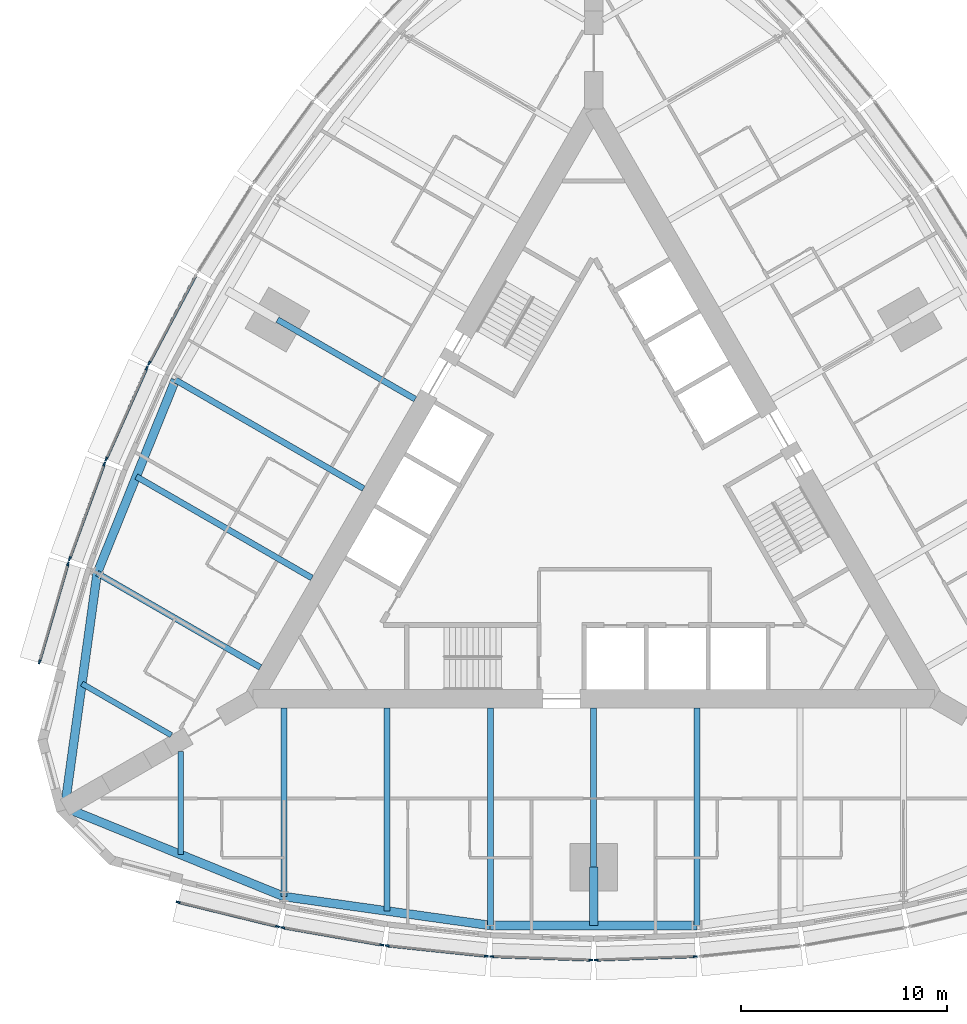
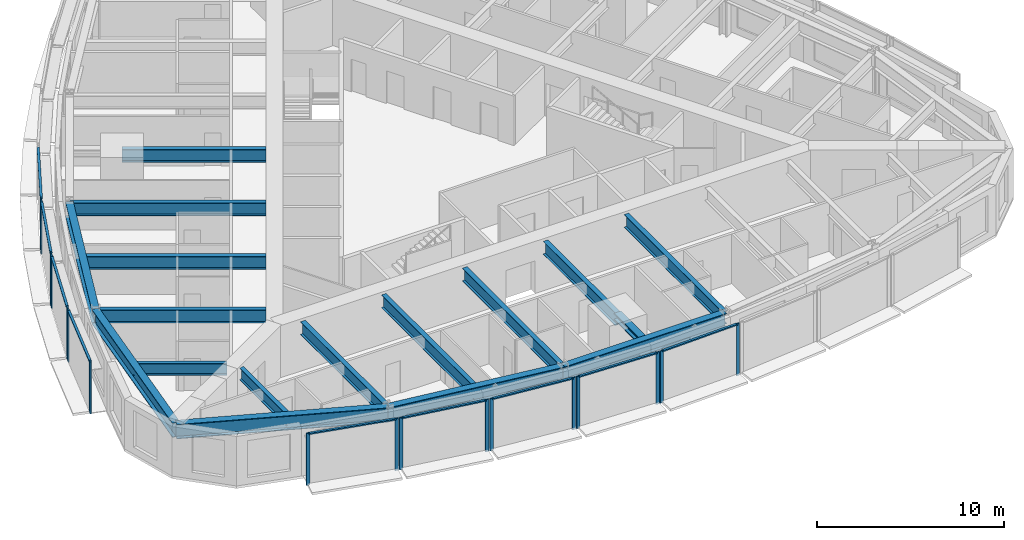
# One storey, part 2 of 14: 26 members, 17 beams, 9 elements without a shape of their own.
"""IFC4 building model written with IfcOpenShell, lengths in metres."""

import ifcopenshell
import ifcopenshell.guid

model = None  # the IFC model being written
_history = None  # IfcOwnerHistory: only IFC2X3 demands one
_inside = {}  # id of a spatial element -> (the spatial element, [elements in it])
_under = {}  # id of a project, library or spatial element -> (it, [spatial elements below it])
_declared = {}  # id of a project -> (the project, [libraries it declares])
_typed = {}  # id of a type object -> (the type object, [elements of that type])
_made_of = {}  # id of a material, layer set ... -> (it, [elements and type objects made of it])


def new_model(schema):
    """Start an empty IFC model of exactly this schema.

    Asked for "IFC4X3", IfcOpenShell would pick the latest addendum, in which some entities
    have other attributes; the version numbers below select the first issue.
    IFC2X3 requires an IfcOwnerHistory on every rooted entity: one is made here for all.
    """
    global model, _history
    if schema == "IFC4X3":
        model = ifcopenshell.file(schema_version=(4, 3, 0, 0))
    else:
        model = ifcopenshell.file(schema=schema)
    _inside.clear()
    _under.clear()
    _declared.clear()
    _typed.clear()
    _made_of.clear()
    _history = None
    if model.schema == "IFC2X3":
        org = make("IfcOrganization", Name="unknown")
        user = make(
            "IfcPersonAndOrganization",
            ThePerson=make("IfcPerson", FamilyName="unknown"),
            TheOrganization=org,
        )
        app = make(
            "IfcApplication",
            ApplicationDeveloper=org,
            Version="unknown",
            ApplicationFullName="unknown",
            ApplicationIdentifier="unknown",
        )
        _history = make(
            "IfcOwnerHistory",
            OwningUser=user,
            OwningApplication=app,
            ChangeAction="ADDED",
            CreationDate=0,
        )
    return model


def make(cls, **values):
    """One entity of the class cls with the attributes given. An attribute that is None is left unset."""
    return model.create_entity(
        cls, **{name: value for name, value in values.items() if value is not None}
    )


def rooted(cls, **values):
    """An entity with a GlobalId (a new one), such as an element, a storey or a relation."""
    return make(cls, GlobalId=ifcopenshell.guid.new(), OwnerHistory=_history, **values)


def si_unit(unit_type, name, prefix=None):
    """IfcSIUnit, for example si_unit("LENGTHUNIT", "METRE", prefix="MILLI")."""
    return make("IfcSIUnit", UnitType=unit_type, Prefix=prefix, Name=name)


def assignment(units):
    """IfcUnitAssignment: the units of a project."""
    return None if units is None else make("IfcUnitAssignment", Units=units)


def point(xyz):
    """IfcCartesianPoint."""
    return None if xyz is None else make("IfcCartesianPoint", Coordinates=xyz)


def direction(xyz):
    """IfcDirection."""
    return None if xyz is None else make("IfcDirection", DirectionRatios=xyz)


def frame(location, z_axis=None, x_axis=None):
    """IfcAxis2Placement3D, a coordinate frame: its origin and axes. An axis left out is left unset."""
    return make(
        "IfcAxis2Placement3D",
        Location=point(location),
        Axis=direction(z_axis),
        RefDirection=direction(x_axis),
    )


def frame_2d(location, x_axis=None):
    """IfcAxis2Placement2D, a coordinate frame in the plane: its origin and x axis."""
    return make(
        "IfcAxis2Placement2D", Location=point(location), RefDirection=direction(x_axis)
    )


def origin():
    """The frame at (0, 0, 0) with its axes left unset."""
    return frame((0.0, 0.0, 0.0))


def origin_2d():
    """The frame at (0, 0) in the plane with its x axis left unset."""
    return frame_2d((0.0, 0.0))


def place(relative_to, where):
    """IfcLocalPlacement: puts the frame where relative to a parent placement (None: the world)."""
    return make(
        "IfcLocalPlacement", PlacementRelTo=relative_to, RelativePlacement=where
    )


def context(
    kind, dimensions, precision=None, world=None, true_north=None, identifier=None
):
    """IfcGeometricRepresentationContext, for example the 3D "Model" context."""
    return make(
        "IfcGeometricRepresentationContext",
        ContextIdentifier=identifier,
        ContextType=kind,
        CoordinateSpaceDimension=dimensions,
        Precision=precision,
        WorldCoordinateSystem=world,
        TrueNorth=true_north,
    )


def subcontext(parent, identifier, kind, view, scale=None):
    """IfcGeometricRepresentationSubContext, for example "Body" below "Model"."""
    return make(
        "IfcGeometricRepresentationSubContext",
        ContextIdentifier=identifier,
        ContextType=kind,
        ParentContext=parent,
        TargetScale=scale,
        TargetView=view,
    )


def project(units=None, contexts=None):
    """IfcProject with its units and contexts."""
    return rooted(
        "IfcProject",
        Name="project",
        RepresentationContexts=contexts,
        UnitsInContext=assignment(units),
    )


def spatial(cls, under=None, at=None, **own):
    """A site, building, storey or space (cls), placed at a placement, below another one or the project."""
    s = rooted(cls, ObjectPlacement=at, **own)
    if under is not None:
        _under.setdefault(under.id(), (under, []))[1].append(s)
    return s


def profile(cls, at=None, kind="AREA", **sizes):
    """A parametric profile (cls). Its sizes go by their IFC names, for example OverallWidth=200.0."""
    return make(cls, ProfileType=kind, Position=at, **sizes)


def rectangle(**sizes):
    """IfcRectangleProfileDef."""
    return profile("IfcRectangleProfileDef", **sizes)


def i_section(**sizes):
    """IfcIShapeProfileDef."""
    return profile("IfcIShapeProfileDef", **sizes)


def extrude(swept, where, along, depth):
    """IfcExtrudedAreaSolid: the profile swept, set in the frame where, extruded along a direction by depth."""
    return make(
        "IfcExtrudedAreaSolid",
        SweptArea=swept,
        Position=where,
        ExtrudedDirection=direction(along),
        Depth=depth,
    )


def shape(context_of_items, identifier, shape_type, items):
    """IfcShapeRepresentation: the items that make up one representation, for example the "Body"."""
    return make(
        "IfcShapeRepresentation",
        ContextOfItems=context_of_items,
        RepresentationIdentifier=identifier,
        RepresentationType=shape_type,
        Items=items,
    )


def material(Name=None, Category=None):
    """IfcMaterial."""
    return make("IfcMaterial", Name=Name, Category=Category)


def material_profile(
    of_material, cross_section, Name=None, Category=None, Priority=None
):
    """IfcMaterialProfile: a cross section and its material."""
    return make(
        "IfcMaterialProfile",
        Name=Name,
        Material=of_material,
        Profile=cross_section,
        Priority=Priority,
        Category=Category,
    )


def profile_set(profiles, Name=None, composite=None):
    """IfcMaterialProfileSet."""
    return make(
        "IfcMaterialProfileSet",
        Name=Name,
        MaterialProfiles=profiles,
        CompositeProfile=composite,
    )


def made_of(thing, what):
    """Note that an element or type object is made of a material, layer set ...; save() writes the relation."""
    if what is not None:
        _made_of.setdefault(what.id(), (what, []))[1].append(thing)
    return thing


def type_object(cls, material=None, **own):
    """A type object (cls), such as IfcWallType, which elements share."""
    return made_of(rooted(cls, **own), material)


def element(
    cls,
    number,
    at=None,
    inside=None,
    cuts=None,
    type_object=None,
    material=None,
    context=None,
    identifier="Body",
    shape_type=None,
    held_by="IfcProductDefinitionShape",
    body=None,
    shapes=None,
    **own,
):
    """One element of the class cls, such as IfcWall. Its Tag is "e" and its number.

    at: its placement. inside: the storey or other place that contains it. cuts: it is an
    opening in that element (IfcRelVoidsElement). A single representation is given by context,
    identifier, shape_type and body (its items); several are given by shapes. held_by: the class
    of the entity that holds the representations. save() writes the other relations.
    """
    e = rooted(cls, Tag="e%d" % number, ObjectPlacement=at, **own)
    if body is not None:
        shapes = [shape(context, identifier, shape_type, body)]
    if shapes is not None:
        e.Representation = make(held_by, Representations=shapes)
    if inside is not None:
        _inside.setdefault(inside.id(), (inside, []))[1].append(e)
    if cuts is not None:
        rooted(
            "IfcRelVoidsElement", RelatingBuildingElement=cuts, RelatedOpeningElement=e
        )
    if type_object is not None:
        _typed.setdefault(type_object.id(), (type_object, []))[1].append(e)
    return made_of(e, material)


def aggregate(whole, parts):
    """IfcRelAggregates: a whole, such as a stair, and the parts it consists of."""
    return rooted("IfcRelAggregates", RelatingObject=whole, RelatedObjects=parts)


def save(model, path):
    """Write the relations noted so far, then the file.

    IfcRelAggregates (storeys below a building ...), IfcRelContainedInSpatialStructure (elements
    in a storey), IfcRelDefinesByType, IfcRelAssociatesMaterial and IfcRelDeclares: one each for
    every whole, place, type object, material and project.
    """
    for whole, parts in _under.values():
        aggregate(whole, parts)
    for where, things in _inside.values():
        rooted(
            "IfcRelContainedInSpatialStructure",
            RelatedElements=things,
            RelatingStructure=where,
        )
    for kind, things in _typed.values():
        rooted("IfcRelDefinesByType", RelatedObjects=things, RelatingType=kind)
    for what, things in _made_of.values():
        rooted("IfcRelAssociatesMaterial", RelatedObjects=things, RelatingMaterial=what)
    for by, libraries in _declared.values():
        rooted("IfcRelDeclares", RelatingContext=by, RelatedDefinitions=libraries)
    model.write(path)


model = new_model("IFC4")

# Units and contexts
model_context = context("Model", 3, precision=1e-05, world=origin(), true_north=direction((0.0, 1.0)))
body_context = subcontext(model_context, "Body", "Model", "MODEL_VIEW")
ifc_project = project(units=[si_unit("LENGTHUNIT", "METRE"), si_unit("AREAUNIT", "SQUARE_METRE"), si_unit("VOLUMEUNIT", "CUBIC_METRE"), si_unit("PLANEANGLEUNIT", "RADIAN"), si_unit("MASSUNIT", "GRAM", prefix="KILO")], contexts=[model_context])

# Site, building, storey
site_placement = place(None, origin())
site = spatial("IfcSite", under=ifc_project, at=site_placement, CompositionType="ELEMENT")
building_placement = place(site_placement, origin())
building = spatial("IfcBuilding", under=site, at=building_placement, Name="Trikona Tower", CompositionType="ELEMENT")
storey_placement = place(building_placement, frame((0.0, 0.0, 169.10009765625)))
storey = spatial("IfcBuildingStorey", under=building, at=storey_placement, Name="L45", CompositionType="ELEMENT", Elevation=169.10009765625)

# Curtain wall, members
ifc_material_1 = material(Name="Aluminium curtain wall system", Category="aluminium")
curtain_wall_type = type_object("IfcCurtainWallType", Name="Curtain wall DS2", PredefinedType="NOTDEFINED", material=ifc_material_1)
curtain_wall_1_placement = place(storey_placement, origin())
curtain_wall_1 = element("IfcCurtainWall", 1, at=curtain_wall_1_placement, inside=storey, type_object=curtain_wall_type, Name="Curtain wall DS2 L45", PredefinedType="NOTDEFINED")
ifc_material_2 = material(Name="Aluminium mullion, pale anodised", Category="aluminium")
ifc_material_profile_1 = material_profile(ifc_material_2, rectangle(XDim=0.080078125, YDim=0.199951171875, at=origin_2d()), Name="MUL-DS2")
ifc_profile_set_1 = profile_set([ifc_material_profile_1], Name="Aluminium mullion, pale anodised")
member_type_1 = type_object("IfcMemberType", Name="Mullion DS2 80x200", PredefinedType="MULLION", material=ifc_profile_set_1)
member_1_placement = place(storey_placement, frame((-20.116943359375, -19.373046875, 0.0), z_axis=(0.0, 0.0, 1.0), x_axis=(0.237970204243, 0.971272455026, 0.0)))
member_1 = element("IfcMember", 2, at=member_1_placement, type_object=member_type_1, Name="CW-DS2 mullion 1", PredefinedType="MULLION", context=body_context, shape_type="SweptSolid", body=[
    extrude(rectangle(XDim=0.080078125, YDim=0.199951171875, at=origin_2d()), origin(), (0.0, 0.0, 1.0), 3.39990234375),
])
member_2_placement = place(storey_placement, frame((-15.311279296875, -20.550537109375, 0.0), z_axis=(0.0, 0.0, 1.0), x_axis=(0.237970204243, 0.971272455026, 0.0)))
member_2 = element("IfcMember", 3, at=member_2_placement, type_object=member_type_1, Name="CW-DS2 mullion 2", PredefinedType="MULLION", context=body_context, shape_type="SweptSolid", body=[
    extrude(rectangle(XDim=0.080078125, YDim=0.199951171875, at=origin_2d()), origin(), (0.0, 0.0, 1.0), 3.39990234375),
])

curtain_wall_2_placement = place(storey_placement, origin())
curtain_wall_2 = element("IfcCurtainWall", 4, at=curtain_wall_2_placement, inside=storey, type_object=curtain_wall_type, Name="Curtain wall DS2 L45", PredefinedType="NOTDEFINED")
member_3_placement = place(storey_placement, frame((-15.056640625, -20.60400390625, 0.0), z_axis=(0.0, 0.0, 1.0), x_axis=(0.17237739505, 0.985030981074, 0.0)))
member_3 = element("IfcMember", 5, at=member_3_placement, type_object=member_type_1, Name="CW-DS2 mullion 1", PredefinedType="MULLION", context=body_context, shape_type="SweptSolid", body=[
    extrude(rectangle(XDim=0.080078125, YDim=0.199951171875, at=origin_2d()), origin(), (0.0, 0.0, 1.0), 3.39990234375),
])
member_4_placement = place(storey_placement, frame((-10.253662109375, -21.444580078125, 0.0), z_axis=(0.0, 0.0, 1.0), x_axis=(0.17237739505, 0.985030981074, 0.0)))
member_4 = element("IfcMember", 6, at=member_4_placement, type_object=member_type_1, Name="CW-DS2 mullion 2", PredefinedType="MULLION", context=body_context, shape_type="SweptSolid", body=[
    extrude(rectangle(XDim=0.080078125, YDim=0.199951171875, at=origin_2d()), origin(), (0.0, 0.0, 1.0), 3.39990234375),
])

curtain_wall_3_placement = place(storey_placement, origin())
curtain_wall_3 = element("IfcCurtainWall", 7, at=curtain_wall_3_placement, inside=storey, type_object=curtain_wall_type, Name="Curtain wall DS2 L45", PredefinedType="NOTDEFINED")
member_5_placement = place(storey_placement, frame((-9.99462890625, -21.480712890625, 0.0), z_axis=(0.0, 0.0, 1.0), x_axis=(0.104433387357, 0.994531883654, 0.0)))
member_5 = element("IfcMember", 8, at=member_5_placement, type_object=member_type_1, Name="CW-DS2 mullion 1", PredefinedType="MULLION", context=body_context, shape_type="SweptSolid", body=[
    extrude(rectangle(XDim=0.080078125, YDim=0.199951171875, at=origin_2d()), origin(), (0.0, 0.0, 1.0), 3.39990234375),
])
member_6_placement = place(storey_placement, frame((-5.193359375, -21.98486328125, 0.0), z_axis=(0.0, 0.0, 1.0), x_axis=(0.104433387357, 0.994531883654, 0.0)))
member_6 = element("IfcMember", 9, at=member_6_placement, type_object=member_type_1, Name="CW-DS2 mullion 2", PredefinedType="MULLION", context=body_context, shape_type="SweptSolid", body=[
    extrude(rectangle(XDim=0.080078125, YDim=0.199951171875, at=origin_2d()), origin(), (0.0, 0.0, 1.0), 3.39990234375),
])

curtain_wall_4_placement = place(storey_placement, origin())
curtain_wall_4 = element("IfcCurtainWall", 10, at=curtain_wall_4_placement, inside=storey, type_object=curtain_wall_type, Name="Curtain wall DS2 L45", PredefinedType="NOTDEFINED")
member_7_placement = place(storey_placement, frame((-4.931640625, -22.003173828125, 0.0), z_axis=(0.0, 0.0, 1.0), x_axis=(0.034998320052, 0.99938737114, 0.0)))
member_7 = element("IfcMember", 11, at=member_7_placement, type_object=member_type_1, Name="CW-DS2 mullion 1", PredefinedType="MULLION", context=body_context, shape_type="SweptSolid", body=[
    extrude(rectangle(XDim=0.080078125, YDim=0.199951171875, at=origin_2d()), origin(), (0.0, 0.0, 1.0), 3.39990234375),
])
member_8_placement = place(storey_placement, frame((-0.13134765625, -22.171142578125, 0.0), z_axis=(0.0, 0.0, 1.0), x_axis=(0.034998320052, 0.99938737114, 0.0)))
member_8 = element("IfcMember", 12, at=member_8_placement, type_object=member_type_1, Name="CW-DS2 mullion 2", PredefinedType="MULLION", context=body_context, shape_type="SweptSolid", body=[
    extrude(rectangle(XDim=0.080078125, YDim=0.199951171875, at=origin_2d()), origin(), (0.0, 0.0, 1.0), 3.39990234375),
])

curtain_wall_5_placement = place(storey_placement, origin())
curtain_wall_5 = element("IfcCurtainWall", 13, at=curtain_wall_5_placement, inside=storey, type_object=curtain_wall_type, Name="Curtain wall DS2 L45", PredefinedType="NOTDEFINED")
member_9_placement = place(storey_placement, frame((0.13134765625, -22.171142578125, 0.0), z_axis=(0.0, 0.0, 1.0), x_axis=(-0.034998320052, 0.99938737114, 0.0)))
member_9 = element("IfcMember", 14, at=member_9_placement, type_object=member_type_1, Name="CW-DS2 mullion 1", PredefinedType="MULLION", context=body_context, shape_type="SweptSolid", body=[
    extrude(rectangle(XDim=0.080078125, YDim=0.199951171875, at=origin_2d()), origin(), (0.0, 0.0, 1.0), 3.39990234375),
])
member_10_placement = place(storey_placement, frame((4.931640625, -22.003173828125, 0.0), z_axis=(0.0, 0.0, 1.0), x_axis=(-0.034998320052, 0.99938737114, 0.0)))
member_10 = element("IfcMember", 15, at=member_10_placement, type_object=member_type_1, Name="CW-DS2 mullion 2", PredefinedType="MULLION", context=body_context, shape_type="SweptSolid", body=[
    extrude(rectangle(XDim=0.080078125, YDim=0.199951171875, at=origin_2d()), origin(), (0.0, 0.0, 1.0), 3.39990234375),
])

# Curtain wall, member
curtain_wall_6_placement = place(storey_placement, origin())
curtain_wall_6 = element("IfcCurtainWall", 16, at=curtain_wall_6_placement, inside=storey, type_object=curtain_wall_type, Name="Curtain wall DS2 L45", PredefinedType="NOTDEFINED")
member_11_placement = place(storey_placement, frame((-21.52099609375, 6.730712890625, 0.0), z_axis=(0.0, 0.0, 1.0), x_axis=(0.882996107343, -0.469380308937, 0.0)))
member_11 = element("IfcMember", 17, at=member_11_placement, type_object=member_type_1, Name="CW-DS2 mullion 2", PredefinedType="MULLION", context=body_context, shape_type="SweptSolid", body=[
    extrude(rectangle(XDim=0.080078125, YDim=0.199951171875, at=origin_2d()), origin(), (0.0, 0.0, 1.0), 3.39990234375),
])

# Curtain wall, members
curtain_wall_7_placement = place(storey_placement, origin())
curtain_wall_7 = element("IfcCurtainWall", 18, at=curtain_wall_7_placement, inside=storey, type_object=curtain_wall_type, Name="Curtain wall DS2 L45", PredefinedType="NOTDEFINED")
member_12_placement = place(storey_placement, frame((-21.63623046875, 6.494873046875, 0.0), z_axis=(0.0, 0.0, 1.0), x_axis=(0.913501208767, -0.406836013132, 0.0)))
member_12 = element("IfcMember", 19, at=member_12_placement, type_object=member_type_1, Name="CW-DS2 mullion 1", PredefinedType="MULLION", context=body_context, shape_type="SweptSolid", body=[
    extrude(rectangle(XDim=0.080078125, YDim=0.199951171875, at=origin_2d()), origin(), (0.0, 0.0, 1.0), 3.39990234375),
])
member_13_placement = place(storey_placement, frame((-23.60009765625, 2.0849609375, 0.0), z_axis=(0.0, 0.0, 1.0), x_axis=(0.913501208767, -0.406836013132, 0.0)))
member_13 = element("IfcMember", 20, at=member_13_placement, type_object=member_type_1, Name="CW-DS2 mullion 2", PredefinedType="MULLION", context=body_context, shape_type="SweptSolid", body=[
    extrude(rectangle(XDim=0.080078125, YDim=0.199951171875, at=origin_2d()), origin(), (0.0, 0.0, 1.0), 3.39990234375),
])

curtain_wall_8_placement = place(storey_placement, origin())
curtain_wall_8 = element("IfcCurtainWall", 21, at=curtain_wall_8_placement, inside=storey, type_object=curtain_wall_type, Name="Curtain wall DS2 L45", PredefinedType="NOTDEFINED")
member_14_placement = place(storey_placement, frame((-23.6982421875, 1.84228515625, 0.0), z_axis=(0.0, 0.0, 1.0), x_axis=(0.939253790978, -0.343223420143, 0.0)))
member_14 = element("IfcMember", 22, at=member_14_placement, type_object=member_type_1, Name="CW-DS2 mullion 1", PredefinedType="MULLION", context=body_context, shape_type="SweptSolid", body=[
    extrude(rectangle(XDim=0.080078125, YDim=0.199951171875, at=origin_2d()), origin(), (0.0, 0.0, 1.0), 3.39990234375),
])
member_15_placement = place(storey_placement, frame((-25.371826171875, -2.737548828125, 0.0), z_axis=(0.0, 0.0, 1.0), x_axis=(0.939253790978, -0.343223420143, 0.0)))
member_15 = element("IfcMember", 23, at=member_15_placement, type_object=member_type_1, Name="CW-DS2 mullion 2", PredefinedType="MULLION", context=body_context, shape_type="SweptSolid", body=[
    extrude(rectangle(XDim=0.080078125, YDim=0.199951171875, at=origin_2d()), origin(), (0.0, 0.0, 1.0), 3.39990234375),
])

curtain_wall_9_placement = place(storey_placement, origin())
curtain_wall_9 = element("IfcCurtainWall", 24, at=curtain_wall_9_placement, inside=storey, type_object=curtain_wall_type, Name="Curtain wall DS2 L45", PredefinedType="NOTDEFINED")
member_16_placement = place(storey_placement, frame((-25.452880859375, -2.984619140625, 0.0), z_axis=(0.0, 0.0, 1.0), x_axis=(0.96013310152, -0.279543247757, 0.0)))
member_16 = element("IfcMember", 25, at=member_16_placement, type_object=member_type_1, Name="CW-DS2 mullion 1", PredefinedType="MULLION", context=body_context, shape_type="SweptSolid", body=[
    extrude(rectangle(XDim=0.080078125, YDim=0.199951171875, at=origin_2d()), origin(), (0.0, 0.0, 1.0), 3.39990234375),
])
member_17_placement = place(storey_placement, frame((-26.836181640625, -7.7353515625, 0.0), z_axis=(0.0, 0.0, 1.0), x_axis=(0.96013310152, -0.279543247757, 0.0)))
member_17 = element("IfcMember", 26, at=member_17_placement, type_object=member_type_1, Name="CW-DS2 mullion 2", PredefinedType="MULLION", context=body_context, shape_type="SweptSolid", body=[
    extrude(rectangle(XDim=0.080078125, YDim=0.199951171875, at=origin_2d()), origin(), (0.0, 0.0, 1.0), 3.39990234375),
])

# Beams
ifc_material_3 = material(Name="Steel ASTM A992 Grade 50", Category="steel")
ifc_material_profile_2 = material_profile(ifc_material_3, i_section(OverallWidth=0.419189453125, OverallDepth=0.45458984375, WebThickness=0.042236328125, FlangeThickness=0.067626953125, at=origin_2d()), Name="W14X370")
ifc_profile_set_2 = profile_set([ifc_material_profile_2], Name="Steel ASTM A992 Grade 50")
beam_type_1 = type_object("IfcBeamType", Name="Steel beam W14x370 (apex bracket)", PredefinedType="BEAM", material=ifc_profile_set_2)
beam_1_placement = place(storey_placement, frame((0.0, -17.680419921875, 3.007568359375), z_axis=(0.0, -1.0, 0.0), x_axis=(1.0, 0.0, 0.0)))
element("IfcBeam", 27, at=beam_1_placement, inside=storey, type_object=beam_type_1, Name="Cantilever bracket L46 F1", PredefinedType="BEAM", context=body_context, shape_type="SweptSolid", body=[
    extrude(i_section(OverallWidth=0.419189453125, OverallDepth=0.45458984375, WebThickness=0.042236328125, FlangeThickness=0.067626953125, at=origin_2d()), origin(), (0.0, 0.0, 1.0), 2.81982421875),
])
ifc_material_4 = material(Name="Steel ASTM A992 Grade 50", Category="steel")
ifc_material_profile_3 = material_profile(ifc_material_4, i_section(OverallWidth=0.2666015625, OverallDepth=0.76953125, WebThickness=0.015625, FlangeThickness=0.025390625, at=origin_2d()), Name="W30X132")
ifc_profile_set_3 = profile_set([ifc_material_profile_3], Name="Steel ASTM A992 Grade 50")
beam_type_2 = type_object("IfcBeamType", Name="Steel beam W30x132 (wedge)", PredefinedType="BEAM", material=ifc_profile_set_3)
beam_2_placement = place(storey_placement, frame((-20.0, -12.066650390625, 2.85009765625), z_axis=(0.0, -1.0, 0.0), x_axis=(1.0, 0.0, 0.0)))
element("IfcBeam", 28, at=beam_2_placement, inside=storey, type_object=beam_type_2, Name="Floor beam L46 F1 u-20", PredefinedType="BEAM", context=body_context, shape_type="SweptSolid", body=[
    extrude(i_section(OverallWidth=0.2666015625, OverallDepth=0.76953125, WebThickness=0.015625, FlangeThickness=0.025390625, at=origin_2d()), origin(), (0.0, 0.0, 1.0), 5.00048828125),
])
beam_3_placement = place(storey_placement, frame((-20.449951171875, -11.287109375, 2.85009765625), z_axis=(-0.866038434829, 0.49997742889, 0.0), x_axis=(-0.49997742889, -0.866038434829, 0.0)))
element("IfcBeam", 29, at=beam_3_placement, inside=storey, type_object=beam_type_2, Name="Floor beam L46 F3 u20", PredefinedType="BEAM", context=body_context, shape_type="SweptSolid", body=[
    extrude(i_section(OverallWidth=0.2666015625, OverallDepth=0.76953125, WebThickness=0.015625, FlangeThickness=0.025390625, at=origin_2d()), origin(), (0.0, 0.0, 1.0), 5.000732421875),
])
ifc_material_5 = material(Name="Steel ASTM A992 Grade 50", Category="steel")
ifc_material_profile_4 = material_profile(ifc_material_5, i_section(OverallWidth=0.2919921875, OverallDepth=0.845703125, WebThickness=0.015380859375, FlangeThickness=0.0244140625, at=origin_2d()), Name="W33X141")
ifc_profile_set_4 = profile_set([ifc_material_profile_4], Name="Steel ASTM A992 Grade 50")
beam_type_3 = type_object("IfcBeamType", Name="Steel beam W33x141 (radial typ)", PredefinedType="BEAM", material=ifc_profile_set_4)
beam_4_placement = place(storey_placement, frame((-15.0, -9.976318359375, 2.81201171875), z_axis=(0.0, -1.0, 0.0), x_axis=(1.0, 0.0, 0.0)))
element("IfcBeam", 30, at=beam_4_placement, inside=storey, type_object=beam_type_3, Name="Floor beam L46 F1 u-15", PredefinedType="BEAM", context=body_context, shape_type="SweptSolid", body=[
    extrude(i_section(OverallWidth=0.2919921875, OverallDepth=0.845703125, WebThickness=0.015380859375, FlangeThickness=0.0244140625, at=origin_2d()), origin(), (0.0, 0.0, 1.0), 9.123779296875),
])
beam_5_placement = place(storey_placement, frame((-10.0, -9.976318359375, 2.81201171875), z_axis=(0.0, -1.0, 0.0), x_axis=(1.0, 0.0, 0.0)))
element("IfcBeam", 31, at=beam_5_placement, inside=storey, type_object=beam_type_3, Name="Floor beam L46 F1 u-10", PredefinedType="BEAM", context=body_context, shape_type="SweptSolid", body=[
    extrude(i_section(OverallWidth=0.2919921875, OverallDepth=0.845703125, WebThickness=0.015380859375, FlangeThickness=0.0244140625, at=origin_2d()), origin(), (0.0, 0.0, 1.0), 9.823974609375),
])
beam_6_placement = place(storey_placement, frame((-5.0, -9.976318359375, 2.81201171875), z_axis=(0.0, -1.0, 0.0), x_axis=(1.0, 0.0, 0.0)))
element("IfcBeam", 32, at=beam_6_placement, inside=storey, type_object=beam_type_3, Name="Floor beam L46 F1 u-5", PredefinedType="BEAM", context=body_context, shape_type="SweptSolid", body=[
    extrude(i_section(OverallWidth=0.2919921875, OverallDepth=0.845703125, WebThickness=0.015380859375, FlangeThickness=0.0244140625, at=origin_2d()), origin(), (0.0, 0.0, 1.0), 10.52392578125),
])
beam_7_placement = place(storey_placement, frame((0.0, -9.976318359375, 2.81201171875), z_axis=(0.0, -1.0, 0.0), x_axis=(1.0, 0.0, 0.0)))
element("IfcBeam", 33, at=beam_7_placement, inside=storey, type_object=beam_type_3, Name="Floor beam L46 F1 u0", PredefinedType="BEAM", context=body_context, shape_type="SweptSolid", body=[
    extrude(i_section(OverallWidth=0.2919921875, OverallDepth=0.845703125, WebThickness=0.015380859375, FlangeThickness=0.0244140625, at=origin_2d()), origin(), (0.0, 0.0, 1.0), 7.7041015625),
])
beam_8_placement = place(storey_placement, frame((5.0, -9.976318359375, 2.81201171875), z_axis=(0.0, -1.0, 0.0), x_axis=(1.0, 0.0, 0.0)))
element("IfcBeam", 34, at=beam_8_placement, inside=storey, type_object=beam_type_3, Name="Floor beam L46 F1 u5", PredefinedType="BEAM", context=body_context, shape_type="SweptSolid", body=[
    extrude(i_section(OverallWidth=0.2919921875, OverallDepth=0.845703125, WebThickness=0.015380859375, FlangeThickness=0.0244140625, at=origin_2d()), origin(), (0.0, 0.0, 1.0), 10.52392578125),
])
beam_9_placement = place(storey_placement, frame((-8.6396484375, 4.988037109375, 2.81201171875), z_axis=(-0.866017246294, 0.500014128921, 0.0), x_axis=(-0.500014128921, -0.866017246294, 0.0)))
element("IfcBeam", 35, at=beam_9_placement, inside=storey, type_object=beam_type_3, Name="Floor beam L46 F3 u0", PredefinedType="BEAM", context=body_context, shape_type="SweptSolid", body=[
    extrude(i_section(OverallWidth=0.2919921875, OverallDepth=0.845703125, WebThickness=0.015380859375, FlangeThickness=0.0244140625, at=origin_2d()), origin(), (0.0, 0.0, 1.0), 7.704345703125),
])
beam_10_placement = place(storey_placement, frame((-11.1396484375, 0.657958984375, 2.81201171875), z_axis=(-0.866026035623, 0.499998905622, 0.0), x_axis=(-0.499998905622, -0.866026035623, 0.0)))
element("IfcBeam", 36, at=beam_10_placement, inside=storey, type_object=beam_type_3, Name="Floor beam L46 F3 u5", PredefinedType="BEAM", context=body_context, shape_type="SweptSolid", body=[
    extrude(i_section(OverallWidth=0.2919921875, OverallDepth=0.845703125, WebThickness=0.015380859375, FlangeThickness=0.0244140625, at=origin_2d()), origin(), (0.0, 0.0, 1.0), 10.52392578125),
])
beam_11_placement = place(storey_placement, frame((-13.6396484375, -3.672119140625, 2.81201171875), z_axis=(-0.866020046725, 0.500009278584, 0.0), x_axis=(-0.500009278584, -0.866020046725, 0.0)))
element("IfcBeam", 37, at=beam_11_placement, inside=storey, type_object=beam_type_3, Name="Floor beam L46 F3 u10", PredefinedType="BEAM", context=body_context, shape_type="SweptSolid", body=[
    extrude(i_section(OverallWidth=0.2919921875, OverallDepth=0.845703125, WebThickness=0.015380859375, FlangeThickness=0.0244140625, at=origin_2d()), origin(), (0.0, 0.0, 1.0), 9.823974609375),
])
beam_12_placement = place(storey_placement, frame((-16.1396484375, -8.002197265625, 2.81201171875), z_axis=(-0.866024725532, 0.500001174766, 0.0), x_axis=(-0.500001174766, -0.866024725532, 0.0)))
element("IfcBeam", 38, at=beam_12_placement, inside=storey, type_object=beam_type_3, Name="Floor beam L46 F3 u15", PredefinedType="BEAM", context=body_context, shape_type="SweptSolid", body=[
    extrude(i_section(OverallWidth=0.2919921875, OverallDepth=0.845703125, WebThickness=0.015380859375, FlangeThickness=0.0244140625, at=origin_2d()), origin(), (0.0, 0.0, 1.0), 9.1240234375),
])
ifc_material_6 = material(Name="Steel ASTM A992 Grade 50", Category="steel")
ifc_material_profile_5 = material_profile(ifc_material_6, i_section(OverallWidth=0.424072265625, OverallDepth=0.947509765625, WebThickness=0.02392578125, FlangeThickness=0.042724609375, at=origin_2d()), Name="W36X302")
ifc_profile_set_5 = profile_set([ifc_material_profile_5], Name="Steel ASTM A992 Grade 50")
beam_type_4 = type_object("IfcBeamType", Name="Steel beam W36x302 (spandrel)", PredefinedType="SPANDREL", material=ifc_profile_set_5)
beam_13_placement = place(storey_placement, frame((-25.6103515625, -14.7861328125, 2.76123046875), z_axis=(0.926359695662, -0.376640032728, 0.0), x_axis=(0.376640032728, 0.926359695662, 0.0)))
element("IfcBeam", 39, at=beam_13_placement, inside=storey, type_object=beam_type_4, Name="Spandrel beam L46 F1-1", PredefinedType="SPANDREL", context=body_context, shape_type="SweptSolid", body=[
    extrude(i_section(OverallWidth=0.424072265625, OverallDepth=0.947509765625, WebThickness=0.02392578125, FlangeThickness=0.042724609375, at=origin_2d()), origin(), (0.0, 0.0, 1.0), 11.453857421875),
])
beam_14_placement = place(storey_placement, frame((-15.0, -19.10009765625, 2.76123046875), z_axis=(0.990339754644, -0.13866207258, 0.0), x_axis=(0.13866207258, 0.990339754644, 0.0)))
element("IfcBeam", 40, at=beam_14_placement, inside=storey, type_object=beam_type_4, Name="Spandrel beam L46 F1-2", PredefinedType="SPANDREL", context=body_context, shape_type="SweptSolid", body=[
    extrude(i_section(OverallWidth=0.424072265625, OverallDepth=0.947509765625, WebThickness=0.02392578125, FlangeThickness=0.042724609375, at=origin_2d()), origin(), (0.0, 0.0, 1.0), 10.09765625),
])
beam_15_placement = place(storey_placement, frame((-5.0, -20.500244140625, 2.76123046875), z_axis=(1.0, 0.0, 0.0), x_axis=(0.0, 1.0, 0.0)))
element("IfcBeam", 41, at=beam_15_placement, inside=storey, type_object=beam_type_4, Name="Spandrel beam L46 F1-3", PredefinedType="SPANDREL", context=body_context, shape_type="SweptSolid", body=[
    extrude(i_section(OverallWidth=0.424072265625, OverallDepth=0.947509765625, WebThickness=0.02392578125, FlangeThickness=0.042724609375, at=origin_2d()), origin(), (0.0, 0.0, 1.0), 10.0),
])
beam_16_placement = place(storey_placement, frame((-20.253662109375, 5.919921875, 2.76123046875), z_axis=(-0.375106193787, -0.926981846307, 0.0), x_axis=(0.926981846307, -0.375106193787, 0.0)))
element("IfcBeam", 42, at=beam_16_placement, inside=storey, type_object=beam_type_4, Name="Spandrel beam L46 F3-4", PredefinedType="SPANDREL", context=body_context, shape_type="SweptSolid", body=[
    extrude(i_section(OverallWidth=0.424072265625, OverallDepth=0.947509765625, WebThickness=0.02392578125, FlangeThickness=0.042724609375, at=origin_2d()), origin(), (0.0, 0.0, 1.0), 10.097412109375),
])
beam_17_placement = place(storey_placement, frame((-24.041259765625, -3.440185546875, 2.76123046875), z_axis=(-0.136991535842, -0.990572218017, 0.0), x_axis=(0.990572218017, -0.136991535842, 0.0)))
element("IfcBeam", 43, at=beam_17_placement, inside=storey, type_object=beam_type_4, Name="Spandrel beam L46 F3-5", PredefinedType="SPANDREL", context=body_context, shape_type="SweptSolid", body=[
    extrude(i_section(OverallWidth=0.424072265625, OverallDepth=0.947509765625, WebThickness=0.02392578125, FlangeThickness=0.042724609375, at=origin_2d()), origin(), (0.0, 0.0, 1.0), 11.453857421875),
])

# Member
ifc_material_7 = material(Name="Aluminium transom, pale anodised", Category="aluminium")
ifc_material_profile_6 = material_profile(ifc_material_7, rectangle(XDim=0.139892578125, YDim=0.080078125, at=origin_2d()), Name="TRN-DS2")
ifc_profile_set_6 = profile_set([ifc_material_profile_6], Name="Aluminium transom, pale anodised")
member_type_2 = type_object("IfcMemberType", Name="Transom DS2 80x140", PredefinedType="USERDEFINED", material=ifc_profile_set_6)
member_18_placement = place(storey_placement, frame((-20.078125, -19.382568359375, 3.35986328125), z_axis=(0.971270583303, -0.237977843528, 0.0), x_axis=(0.237977843528, 0.971270583303, 0.0)))
member_18 = element("IfcMember", 44, at=member_18_placement, type_object=member_type_2, Name="CW-DS2 transom 1.1", ObjectType="TRANSOM", PredefinedType="USERDEFINED", context=body_context, shape_type="SweptSolid", body=[
    extrude(rectangle(XDim=0.139892578125, YDim=0.080078125, at=origin_2d()), origin(), (0.0, 0.0, 1.0), 4.867919921875),
])

aggregate(curtain_wall_1, [member_1, member_2, member_18])

member_19_placement = place(storey_placement, frame((-15.01708984375, -20.61083984375, 3.35986328125), z_axis=(0.98503262804, -0.172367983387, 0.0), x_axis=(0.172367983387, 0.98503262804, 0.0)))
member_19 = element("IfcMember", 45, at=member_19_placement, type_object=member_type_2, Name="CW-DS2 transom 1.1", ObjectType="TRANSOM", PredefinedType="USERDEFINED", context=body_context, shape_type="SweptSolid", body=[
    extrude(rectangle(XDim=0.139892578125, YDim=0.080078125, at=origin_2d()), origin(), (0.0, 0.0, 1.0), 4.7958984375),
])

aggregate(curtain_wall_2, [member_3, member_4, member_19])

member_20_placement = place(storey_placement, frame((-9.954833984375, -21.48486328125, 3.35986328125), z_axis=(0.99453106441, -0.104441188822, 0.0), x_axis=(0.104441188822, 0.99453106441, 0.0)))
member_20 = element("IfcMember", 46, at=member_20_placement, type_object=member_type_2, Name="CW-DS2 transom 1.1", ObjectType="TRANSOM", PredefinedType="USERDEFINED", context=body_context, shape_type="SweptSolid", body=[
    extrude(rectangle(XDim=0.139892578125, YDim=0.080078125, at=origin_2d()), origin(), (0.0, 0.0, 1.0), 4.74755859375),
])

aggregate(curtain_wall_3, [member_5, member_6, member_20])

member_21_placement = place(storey_placement, frame((-4.8916015625, -22.00439453125, 3.35986328125), z_axis=(0.999385692759, -0.035046213908, 0.0), x_axis=(0.035046213908, 0.999385692759, 0.0)))
member_21 = element("IfcMember", 47, at=member_21_placement, type_object=member_type_2, Name="CW-DS2 transom 1.1", ObjectType="TRANSOM", PredefinedType="USERDEFINED", context=body_context, shape_type="SweptSolid", body=[
    extrude(rectangle(XDim=0.139892578125, YDim=0.080078125, at=origin_2d()), origin(), (0.0, 0.0, 1.0), 4.72314453125),
])

aggregate(curtain_wall_4, [member_7, member_8, member_21])

member_22_placement = place(storey_placement, frame((0.17138671875, -22.169921875, 3.35986328125), z_axis=(0.999385692759, 0.035046213908, 0.0), x_axis=(-0.035046213908, 0.999385692759, 0.0)))
member_22 = element("IfcMember", 48, at=member_22_placement, type_object=member_type_2, Name="CW-DS2 transom 1.1", ObjectType="TRANSOM", PredefinedType="USERDEFINED", context=body_context, shape_type="SweptSolid", body=[
    extrude(rectangle(XDim=0.139892578125, YDim=0.080078125, at=origin_2d()), origin(), (0.0, 0.0, 1.0), 4.72314453125),
])

aggregate(curtain_wall_5, [member_9, member_10, member_22])

member_23_placement = place(storey_placement, frame((-19.285400390625, 10.9365234375, 3.35986328125), z_axis=(-0.469364343408, -0.883004594063, 0.0), x_axis=(0.883004594063, -0.469364343408, 0.0)))
member_23 = element("IfcMember", 49, at=member_23_placement, type_object=member_type_2, Name="CW-DS2 transom 1.1", ObjectType="TRANSOM", PredefinedType="USERDEFINED", context=body_context, shape_type="SweptSolid", body=[
    extrude(rectangle(XDim=0.139892578125, YDim=0.080078125, at=origin_2d()), origin(), (0.0, 0.0, 1.0), 4.722900390625),
])

aggregate(curtain_wall_6, [member_11, member_23])

member_24_placement = place(storey_placement, frame((-21.65234375, 6.458251953125, 3.35986328125), z_axis=(-0.406839769607, -0.913499535778, 0.0), x_axis=(0.913499535778, -0.406839769607, 0.0)))
member_24 = element("IfcMember", 50, at=member_24_placement, type_object=member_type_2, Name="CW-DS2 transom 1.1", ObjectType="TRANSOM", PredefinedType="USERDEFINED", context=body_context, shape_type="SweptSolid", body=[
    extrude(rectangle(XDim=0.139892578125, YDim=0.080078125, at=origin_2d()), origin(), (0.0, 0.0, 1.0), 4.747314453125),
])

aggregate(curtain_wall_7, [member_12, member_13, member_24])

member_25_placement = place(storey_placement, frame((-23.712158203125, 1.8046875, 3.35986328125), z_axis=(-0.343205907674, -0.939260190223, 0.0), x_axis=(0.939260190223, -0.343205907674, 0.0)))
member_25 = element("IfcMember", 51, at=member_25_placement, type_object=member_type_2, Name="CW-DS2 transom 1.1", ObjectType="TRANSOM", PredefinedType="USERDEFINED", context=body_context, shape_type="SweptSolid", body=[
    extrude(rectangle(XDim=0.139892578125, YDim=0.080078125, at=origin_2d()), origin(), (0.0, 0.0, 1.0), 4.7958984375),
])

aggregate(curtain_wall_8, [member_14, member_15, member_25])

member_26_placement = place(storey_placement, frame((-25.464111328125, -3.023193359375, 3.35986328125), z_axis=(-0.279566628153, -0.960126293996, 0.0), x_axis=(0.960126293996, -0.279566628153, 0.0)))
member_26 = element("IfcMember", 52, at=member_26_placement, type_object=member_type_2, Name="CW-DS2 transom 1.1", ObjectType="TRANSOM", PredefinedType="USERDEFINED", context=body_context, shape_type="SweptSolid", body=[
    extrude(rectangle(XDim=0.139892578125, YDim=0.080078125, at=origin_2d()), origin(), (0.0, 0.0, 1.0), 4.86767578125),
])

aggregate(curtain_wall_9, [member_16, member_17, member_26])

save(model, "model.ifc")
